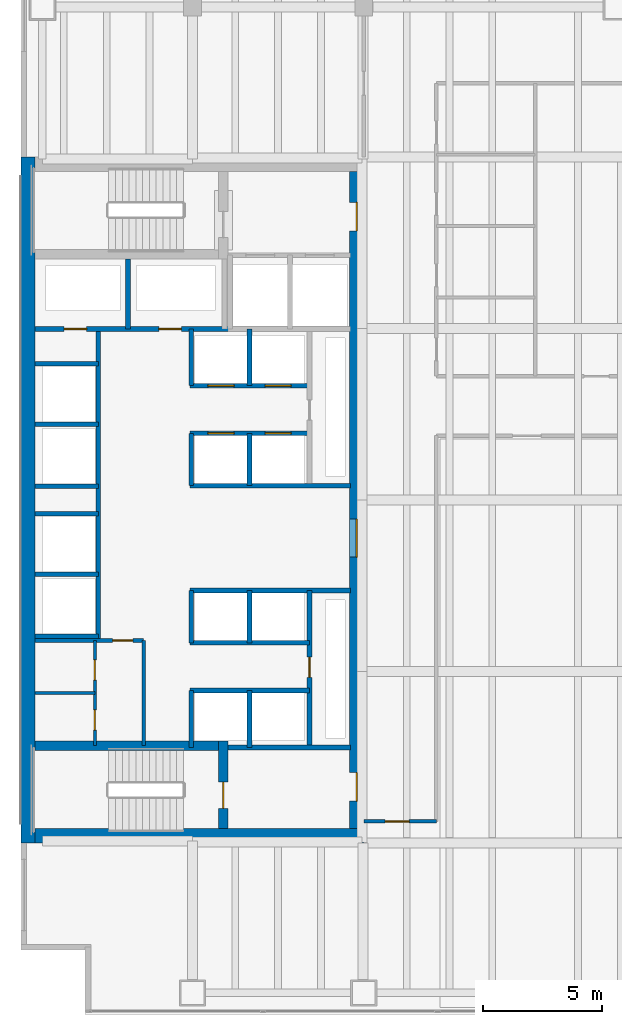
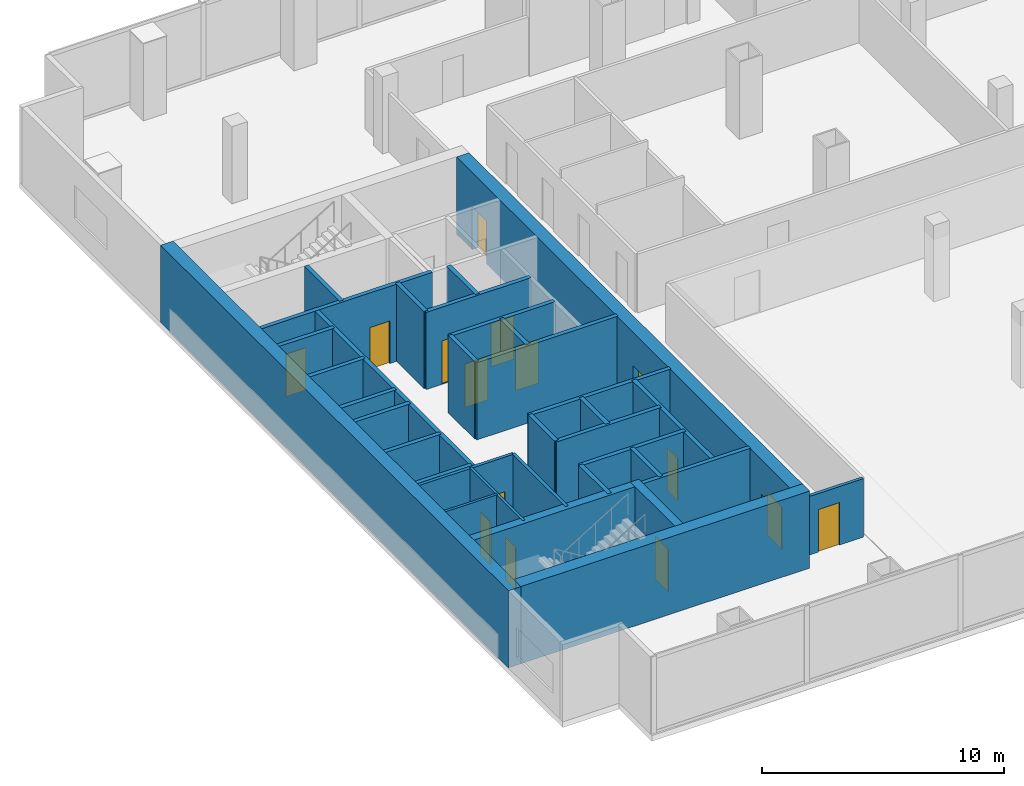
# One storey, part 22 of 32: 35 walls, 15 doors, 15 openings.
"""IFC4 building model written with IfcOpenShell, lengths in metres."""

from ifc_helpers import new_model, si_unit, direction, frame, frame_2d, origin, place, context, subcontext, project, spatial, rectangle, extrude, material, layer, layer_set, type_object, element, fill, save


model = new_model("IFC4")

# Units and contexts
model_context = context("Model", 3, precision=1e-05, world=origin(), true_north=direction((0.0, 1.0)))
body_context = subcontext(model_context, "Body", "Model", "MODEL_VIEW")
ifc_project = project(units=[si_unit("LENGTHUNIT", "METRE"), si_unit("AREAUNIT", "SQUARE_METRE"), si_unit("VOLUMEUNIT", "CUBIC_METRE"), si_unit("PLANEANGLEUNIT", "RADIAN"), si_unit("MASSUNIT", "GRAM", prefix="KILO")], contexts=[model_context])

# Site, building, storey
site_placement = place(None, origin())
site = spatial("IfcSite", under=ifc_project, at=site_placement, CompositionType="ELEMENT")
building_placement = place(site_placement, origin())
building = spatial("IfcBuilding", under=site, at=building_placement, Name="Cobrela Telecom Tower", CompositionType="ELEMENT")
storey_placement = place(building_placement, frame((0.0, 0.0, 22.050048828125)))
storey = spatial("IfcBuildingStorey", under=building, at=storey_placement, Name="L05", CompositionType="ELEMENT", Elevation=22.050048828125)

# Walls
ifc_material_1 = material(Name="Concrete C50/60", Category="concrete")
ifc_layer_1 = layer(ifc_material_1, 0.60009765625)
ifc_layer_set_1 = layer_set([ifc_layer_1], Name="Concrete C50/60")
wall_type_1 = type_object("IfcWallType", Name="WALL-CORE-C50-600", PredefinedType="SHEAR", material=ifc_layer_set_1)
wall_1_placement = place(storey_placement, frame((0.300048828125, 7.199951171875, 0.0), z_axis=(0.0, 0.0, 1.0), x_axis=(0.0, 1.0, 0.0)))
element("IfcWall", 1, at=wall_1_placement, inside=storey, type_object=wall_type_1, Name="L05 West Core Shear Wall", PredefinedType="SHEAR", context=body_context, shape_type="SweptSolid", body=[
    extrude(rectangle(XDim=28.800048828125, YDim=0.60009765625, at=frame_2d((14.39990234375, 0.0))), origin(), (0.0, 0.0, 1.0), 3.89990234375),
])
wall_2_placement = place(storey_placement, frame((0.60009765625, 7.5, 0.0), z_axis=(0.0, 0.0, 1.0), x_axis=(1.0, 0.0, 0.0)))
element("IfcWall", 2, at=wall_2_placement, inside=storey, type_object=wall_type_1, Name="L05 South Core Shear Wall", PredefinedType="SHEAR", context=body_context, shape_type="SweptSolid", body=[
    extrude(rectangle(XDim=13.7998046875, YDim=0.60009765625, at=frame_2d((6.89990234375, 0.0))), origin(), (0.0, 0.0, 1.0), 3.89990234375),
])

# Wall, openings, doors
wall_3_placement = place(storey_placement, frame((14.10009765625, 35.39990234375, 0.0), z_axis=(0.0, 0.0, 1.0), x_axis=(0.0, -1.0, 0.0)))
wall_3 = element("IfcWall", 3, at=wall_3_placement, inside=storey, type_object=wall_type_1, Name="L05 East Core Shear Wall", PredefinedType="SHEAR", context=body_context, shape_type="SweptSolid", body=[
    extrude(rectangle(XDim=27.599853515625, YDim=0.60009765625, at=frame_2d((13.7998046875, 0.0))), origin(), (0.0, 0.0, 1.0), 3.89990234375),
])
opening_1_placement = place(wall_3_placement, frame((1.300048828125, 0.0, 0.0)))
opening_1 = element("IfcOpeningElement", 4, at=opening_1_placement, cuts=wall_3, Name="Opening DR-19", PredefinedType="OPENING", context=body_context, shape_type="SweptSolid", body=[
    extrude(rectangle(XDim=1.199951171875, YDim=2.14990234375, at=frame_2d((0.60009765625, 1.074951171875))), frame((0.0, 0.31201171875, 0.0), z_axis=(0.0, -1.0, 0.0), x_axis=(1.0, 0.0, 0.0)), (0.0, 0.0, 1.0), 0.6240234375),
])
opening_2_placement = place(wall_3_placement, frame((25.25, 0.0, 0.0)))
opening_2 = element("IfcOpeningElement", 5, at=opening_2_placement, cuts=wall_3, Name="Opening DR-19", PredefinedType="OPENING", context=body_context, shape_type="SweptSolid", body=[
    extrude(rectangle(XDim=1.199951171875, YDim=2.14990234375, at=frame_2d((0.60009765625, 1.074951171875))), frame((0.0, 0.31201171875, 0.0), z_axis=(0.0, -1.0, 0.0), x_axis=(1.0, 0.0, 0.0)), (0.0, 0.0, 1.0), 0.6240234375),
])
opening_3_placement = place(wall_3_placement, frame((14.60009765625, 0.0, 0.0)))
opening_3 = element("IfcOpeningElement", 6, at=opening_3_placement, cuts=wall_3, Name="Opening DR-51", PredefinedType="OPENING", context=body_context, shape_type="SweptSolid", body=[
    extrude(rectangle(XDim=1.60009765625, YDim=2.199951171875, at=frame_2d((0.800048828125, 1.10009765625))), frame((0.0, 0.31201171875, 0.0), z_axis=(0.0, -1.0, 0.0), x_axis=(1.0, 0.0, 0.0)), (0.0, 0.0, 1.0), 0.6240234375),
])
ifc_material_2 = material(Name="Steel ASTM A36", Category="steel")
door_type_1 = type_object("IfcDoorType", Name="DOOR-FD60-1200", OperationType="SINGLE_SWING_LEFT", PredefinedType="DOOR", material=ifc_material_2)
door_1_placement = place(opening_1_placement, origin())
door_1 = element("IfcDoor", 7, at=door_1_placement, inside=storey, type_object=door_type_1, Name="L05 Door DR-19", OperationType="SINGLE_SWING_LEFT", OverallHeight=2.14990234375, OverallWidth=1.199951171875, PredefinedType="DOOR", context=body_context, shape_type="SweptSolid", body=[
    extrude(rectangle(XDim=1.199951171875, YDim=2.14990234375, at=frame_2d((0.60009765625, 1.074951171875))), frame((0.0, 0.02490234375, 0.0), z_axis=(0.0, -1.0, 0.0), x_axis=(1.0, 0.0, 0.0)), (0.0, 0.0, 1.0), 0.050048828125),
])
fill(opening_1, door_1)
door_2_placement = place(opening_2_placement, origin())
door_2 = element("IfcDoor", 8, at=door_2_placement, inside=storey, type_object=door_type_1, Name="L05 Door DR-19", OperationType="SINGLE_SWING_RIGHT", OverallHeight=2.14990234375, OverallWidth=1.199951171875, PredefinedType="DOOR", context=body_context, shape_type="SweptSolid", body=[
    extrude(rectangle(XDim=1.199951171875, YDim=2.14990234375, at=frame_2d((0.60009765625, 1.074951171875))), frame((0.0, 0.02490234375, 0.0), z_axis=(0.0, -1.0, 0.0), x_axis=(1.0, 0.0, 0.0)), (0.0, 0.0, 1.0), 0.050048828125),
])
fill(opening_2, door_2)
door_type_2 = type_object("IfcDoorType", Name="DOOR-FD60-1600", OperationType="SINGLE_SWING_LEFT", PredefinedType="DOOR", material=ifc_material_2)
door_3_placement = place(opening_3_placement, origin())
door_3 = element("IfcDoor", 9, at=door_3_placement, inside=storey, type_object=door_type_2, Name="L05 Door DR-51", OperationType="DOUBLE_DOOR_SINGLE_SWING", OverallHeight=2.199951171875, OverallWidth=1.60009765625, PredefinedType="DOOR", context=body_context, shape_type="SweptSolid", body=[
    extrude(rectangle(XDim=1.60009765625, YDim=2.199951171875, at=frame_2d((0.800048828125, 1.10009765625))), frame((0.0, 0.02490234375, 0.0), z_axis=(0.0, -1.0, 0.0), x_axis=(1.0, 0.0, 0.0)), (0.0, 0.0, 1.0), 0.050048828125),
])
fill(opening_3, door_3)

# Wall
ifc_material_3 = material(Name="Fire-Rated Gypsum Plasterboard")
ifc_layer_2 = layer(ifc_material_3, 0.125)
ifc_layer_set_2 = layer_set([ifc_layer_2], Name="Fire-Rated Gypsum Plasterboard")
wall_type_2 = type_object("IfcWallType", Name="WALL-PART-125", PredefinedType="PARTITIONING", material=ifc_layer_set_2)
wall_4_placement = place(storey_placement, frame((0.60009765625, 13.5, 0.0), z_axis=(0.0, 0.0, 1.0), x_axis=(1.0, 0.0, 0.0)))
element("IfcWall", 10, at=wall_4_placement, inside=storey, type_object=wall_type_2, Name="L05 Interior Partition CW-FK3-H", PredefinedType="PARTITIONING", context=body_context, shape_type="SweptSolid", body=[
    extrude(rectangle(XDim=2.5, YDim=0.125, at=frame_2d((1.25, 0.0))), origin(), (0.0, 0.0, 1.0), 3.89990234375),
])

# Wall, openings, doors
wall_5_placement = place(storey_placement, frame((3.10009765625, 11.280029296875, 0.0), z_axis=(0.0, 0.0, 1.0), x_axis=(0.0, 1.0, 0.0)))
wall_5 = element("IfcWall", 11, at=wall_5_placement, inside=storey, type_object=wall_type_2, Name="L05 Interior Partition CW-FK3-V", PredefinedType="PARTITIONING", context=body_context, shape_type="SweptSolid", body=[
    extrude(rectangle(XDim=4.419921875, YDim=0.125, at=frame_2d((2.2099609375, 0.0))), origin(), (0.0, 0.0, 1.0), 3.89990234375),
])
opening_4_placement = place(wall_5_placement, frame((0.64990234375, 0.0, 0.0)))
opening_4 = element("IfcOpeningElement", 12, at=opening_4_placement, cuts=wall_5, Name="Opening DR-11", PredefinedType="OPENING", context=body_context, shape_type="SweptSolid", body=[
    extrude(rectangle(XDim=0.85009765625, YDim=2.14990234375, at=frame_2d((0.425048828125, 1.074951171875))), frame((0.0, 0.074462890625, 0.0), z_axis=(0.0, -1.0, 0.0), x_axis=(1.0, 0.0, 0.0)), (0.0, 0.0, 1.0), 0.14892578125),
])
opening_5_placement = place(wall_5_placement, frame((2.75, 0.0, 0.0)))
opening_5 = element("IfcOpeningElement", 13, at=opening_5_placement, cuts=wall_5, Name="Opening DR-11", PredefinedType="OPENING", context=body_context, shape_type="SweptSolid", body=[
    extrude(rectangle(XDim=0.85009765625, YDim=2.14990234375, at=frame_2d((0.425048828125, 1.074951171875))), frame((0.0, 0.074462890625, 0.0), z_axis=(0.0, -1.0, 0.0), x_axis=(1.0, 0.0, 0.0)), (0.0, 0.0, 1.0), 0.14892578125),
])
ifc_material_4 = material(Name="Solid Engineered Oak Timber", Category="wood")
door_type_3 = type_object("IfcDoorType", Name="DOOR-INT-850", OperationType="SINGLE_SWING_LEFT", PredefinedType="DOOR", material=ifc_material_4)
door_4_placement = place(opening_4_placement, origin())
door_4 = element("IfcDoor", 14, at=door_4_placement, inside=storey, type_object=door_type_3, Name="L05 Door DR-11", OperationType="SINGLE_SWING_LEFT", OverallHeight=2.14990234375, OverallWidth=0.85009765625, PredefinedType="DOOR", context=body_context, shape_type="SweptSolid", body=[
    extrude(rectangle(XDim=0.85009765625, YDim=2.14990234375, at=frame_2d((0.425048828125, 1.074951171875))), frame((0.0, 0.02490234375, 0.0), z_axis=(0.0, -1.0, 0.0), x_axis=(1.0, 0.0, 0.0)), (0.0, 0.0, 1.0), 0.050048828125),
])
fill(opening_4, door_4)
door_5_placement = place(opening_5_placement, origin())
door_5 = element("IfcDoor", 15, at=door_5_placement, inside=storey, type_object=door_type_3, Name="L05 Door DR-11", OperationType="SINGLE_SWING_RIGHT", OverallHeight=2.14990234375, OverallWidth=0.85009765625, PredefinedType="DOOR", context=body_context, shape_type="SweptSolid", body=[
    extrude(rectangle(XDim=0.85009765625, YDim=2.14990234375, at=frame_2d((0.425048828125, 1.074951171875))), frame((0.0, 0.02490234375, 0.0), z_axis=(0.0, -1.0, 0.0), x_axis=(1.0, 0.0, 0.0)), (0.0, 0.0, 1.0), 0.050048828125),
])
fill(opening_5, door_5)

# Wall, opening, door
ifc_layer_3 = layer(ifc_material_3, 0.14990234375)
ifc_layer_set_3 = layer_set([ifc_layer_3], Name="Fire-Rated Gypsum Plasterboard")
wall_type_3 = type_object("IfcWallType", Name="WALL-PART-150", PredefinedType="PARTITIONING", material=ifc_layer_set_3)
wall_6_placement = place(storey_placement, frame((0.60009765625, 15.699951171875, 0.0), z_axis=(0.0, 0.0, 1.0), x_axis=(1.0, 0.0, 0.0)))
wall_6 = element("IfcWall", 16, at=wall_6_placement, inside=storey, type_object=wall_type_3, Name="L05 Interior Partition CW-FLEX-N", PredefinedType="PARTITIONING", context=body_context, shape_type="SweptSolid", body=[
    extrude(rectangle(XDim=4.5498046875, YDim=0.14990234375, at=frame_2d((2.27490234375, 0.0))), origin(), (0.0, 0.0, 1.0), 3.89990234375),
])
opening_6_placement = place(wall_6_placement, frame((3.25, 0.0, 0.0)))
opening_6 = element("IfcOpeningElement", 17, at=opening_6_placement, cuts=wall_6, Name="Opening DR-11", PredefinedType="OPENING", context=body_context, shape_type="SweptSolid", body=[
    extrude(rectangle(XDim=0.85009765625, YDim=2.14990234375, at=frame_2d((0.425048828125, 1.074951171875))), frame((0.0, 0.0869140625, 0.0), z_axis=(0.0, -1.0, 0.0), x_axis=(1.0, 0.0, 0.0)), (0.0, 0.0, 1.0), 0.173828125),
])
door_6_placement = place(opening_6_placement, origin())
door_6 = element("IfcDoor", 18, at=door_6_placement, inside=storey, type_object=door_type_3, Name="L05 Door DR-11", OperationType="SINGLE_SWING_LEFT", OverallHeight=2.14990234375, OverallWidth=0.85009765625, PredefinedType="DOOR", context=body_context, shape_type="SweptSolid", body=[
    extrude(rectangle(XDim=0.85009765625, YDim=2.14990234375, at=frame_2d((0.425048828125, 1.074951171875))), frame((0.0, 0.02490234375, 0.0), z_axis=(0.0, -1.0, 0.0), x_axis=(1.0, 0.0, 0.0)), (0.0, 0.0, 1.0), 0.050048828125),
])
fill(opening_6, door_6)

# Wall
wall_7_placement = place(storey_placement, frame((5.14990234375, 11.280029296875, 0.0), z_axis=(0.0, 0.0, 1.0), x_axis=(0.0, 1.0, 0.0)))
element("IfcWall", 19, at=wall_7_placement, inside=storey, type_object=wall_type_3, Name="L05 Interior Partition CW-FLEX-E", PredefinedType="PARTITIONING", context=body_context, shape_type="SweptSolid", body=[
    extrude(rectangle(XDim=4.419921875, YDim=0.14990234375, at=frame_2d((2.2099609375, 0.0))), origin(), (0.0, 0.0, 1.0), 3.89990234375),
])

# Wall, opening, door
wall_8_placement = place(storey_placement, frame((14.39990234375, 8.10009765625, 0.0), z_axis=(0.0, 0.0, 1.0), x_axis=(1.0, 0.0, 0.0)))
wall_8 = element("IfcWall", 20, at=wall_8_placement, inside=storey, type_object=wall_type_3, Name="L05 Interior Partition W-P4-S0", PredefinedType="PARTITIONING", context=body_context, shape_type="SweptSolid", body=[
    extrude(rectangle(XDim=3.050048828125, YDim=0.14990234375, at=frame_2d((1.52490234375, 0.0))), origin(), (0.0, 0.0, 1.0), 2.9580078125),
])
opening_7_placement = place(wall_8_placement, frame((0.89990234375, 0.0, 0.0)))
opening_7 = element("IfcOpeningElement", 21, at=opening_7_placement, cuts=wall_8, Name="Opening DR-31", PredefinedType="OPENING", context=body_context, shape_type="SweptSolid", body=[
    extrude(rectangle(XDim=1.0, YDim=2.14990234375, at=frame_2d((0.5, 1.074951171875))), frame((0.0, 0.0869140625, 0.0), z_axis=(0.0, -1.0, 0.0), x_axis=(1.0, 0.0, 0.0)), (0.0, 0.0, 1.0), 0.173828125),
])
door_type_4 = type_object("IfcDoorType", Name="DOOR-INT-1000", OperationType="SINGLE_SWING_LEFT", PredefinedType="DOOR", material=ifc_material_4)
door_7_placement = place(opening_7_placement, origin())
door_7 = element("IfcDoor", 22, at=door_7_placement, inside=storey, type_object=door_type_4, Name="L05 Door DR-31", OperationType="SINGLE_SWING_RIGHT", OverallHeight=2.14990234375, OverallWidth=1.0, PredefinedType="DOOR", context=body_context, shape_type="SweptSolid", body=[
    extrude(rectangle(XDim=1.0, YDim=2.14990234375, at=frame_2d((0.5, 1.074951171875))), frame((0.0, 0.02490234375, 0.0), z_axis=(0.0, -1.0, 0.0), x_axis=(1.0, 0.0, 0.0)), (0.0, 0.0, 1.0), 0.050048828125),
])
fill(opening_7, door_7)

# Wall
ifc_layer_4 = layer(ifc_material_3, 0.199951171875)
ifc_layer_set_4 = layer_set([ifc_layer_4], Name="Fire-Rated Gypsum Plasterboard")
wall_type_4 = type_object("IfcWallType", Name="WALL-SHAFT-200", PredefinedType="PARTITIONING", material=ifc_layer_set_4)
wall_9_placement = place(storey_placement, frame((8.699951171875, 11.199951171875, 0.0), z_axis=(0.0, 0.0, 1.0), x_axis=(1.0, 0.0, 0.0)))
element("IfcWall", 23, at=wall_9_placement, inside=storey, type_object=wall_type_4, Name="L05 Shaft Enclosure CW-ST2L-N", PredefinedType="PARTITIONING", context=body_context, shape_type="SweptSolid", body=[
    extrude(rectangle(XDim=5.150146484375, YDim=0.199951171875, at=frame_2d((2.5751953125, 0.0))), origin(), (0.0, 0.0, 1.0), 3.89990234375),
])

# Wall, openings, doors
wall_10_placement = place(storey_placement, frame((0.60009765625, 28.780029296875, 0.0), z_axis=(0.0, 0.0, 1.0), x_axis=(1.0, 0.0, 0.0)))
wall_10 = element("IfcWall", 24, at=wall_10_placement, inside=storey, type_object=wall_type_4, Name="L05 Shaft Enclosure CW-RIS-S", PredefinedType="PARTITIONING", context=body_context, shape_type="SweptSolid", body=[
    extrude(rectangle(XDim=8.179931640625, YDim=0.199951171875, at=frame_2d((4.08984375, 0.0))), origin(), (0.0, 0.0, 1.0), 3.89990234375),
])
opening_8_placement = place(wall_10_placement, frame((1.2099609375, 0.0, 0.0)))
opening_8 = element("IfcOpeningElement", 25, at=opening_8_placement, cuts=wall_10, Name="Opening DR-65", PredefinedType="OPENING", context=body_context, shape_type="SweptSolid", body=[
    extrude(rectangle(XDim=0.949951171875, YDim=2.14990234375, at=frame_2d((0.47509765625, 1.074951171875))), frame((0.0, 0.11181640625, 0.0), z_axis=(0.0, -1.0, 0.0), x_axis=(1.0, 0.0, 0.0)), (0.0, 0.0, 1.0), 0.223876953125),
])
opening_9_placement = place(wall_10_placement, frame((5.18994140625, 0.0, 0.0)))
opening_9 = element("IfcOpeningElement", 26, at=opening_9_placement, cuts=wall_10, Name="Opening DR-65", PredefinedType="OPENING", context=body_context, shape_type="SweptSolid", body=[
    extrude(rectangle(XDim=0.949951171875, YDim=2.14990234375, at=frame_2d((0.47509765625, 1.074951171875))), frame((0.0, 0.11181640625, 0.0), z_axis=(0.0, -1.0, 0.0), x_axis=(1.0, 0.0, 0.0)), (0.0, 0.0, 1.0), 0.223876953125),
])
door_type_5 = type_object("IfcDoorType", Name="DOOR-FD60-950", OperationType="SINGLE_SWING_LEFT", PredefinedType="DOOR", material=ifc_material_2)
door_8_placement = place(opening_8_placement, origin())
door_8 = element("IfcDoor", 27, at=door_8_placement, inside=storey, type_object=door_type_5, Name="L05 Door DR-65", OperationType="SINGLE_SWING_LEFT", OverallHeight=2.14990234375, OverallWidth=0.949951171875, PredefinedType="DOOR", context=body_context, shape_type="SweptSolid", body=[
    extrude(rectangle(XDim=0.949951171875, YDim=2.14990234375, at=frame_2d((0.47509765625, 1.074951171875))), frame((0.0, 0.02490234375, 0.0), z_axis=(0.0, -1.0, 0.0), x_axis=(1.0, 0.0, 0.0)), (0.0, 0.0, 1.0), 0.050048828125),
])
fill(opening_8, door_8)
door_9_placement = place(opening_9_placement, origin())
door_9 = element("IfcDoor", 28, at=door_9_placement, inside=storey, type_object=door_type_5, Name="L05 Door DR-65", OperationType="SINGLE_SWING_RIGHT", OverallHeight=2.14990234375, OverallWidth=0.949951171875, PredefinedType="DOOR", context=body_context, shape_type="SweptSolid", body=[
    extrude(rectangle(XDim=0.949951171875, YDim=2.14990234375, at=frame_2d((0.47509765625, 1.074951171875))), frame((0.0, 0.02490234375, 0.0), z_axis=(0.0, -1.0, 0.0), x_axis=(1.0, 0.0, 0.0)), (0.0, 0.0, 1.0), 0.050048828125),
])
fill(opening_9, door_9)

# Walls
wall_11_placement = place(storey_placement, frame((4.5, 28.780029296875, 0.0), z_axis=(0.0, 0.0, 1.0), x_axis=(0.0, 1.0, 0.0)))
element("IfcWall", 29, at=wall_11_placement, inside=storey, type_object=wall_type_4, Name="L05 Shaft Enclosure CW-RIS-M", PredefinedType="PARTITIONING", context=body_context, shape_type="SweptSolid", body=[
    extrude(rectangle(XDim=2.93994140625, YDim=0.199951171875, at=frame_2d((1.469970703125, 0.0))), origin(), (0.0, 0.0, 1.0), 3.89990234375),
])
wall_12_placement = place(storey_placement, frame((3.25, 15.699951171875, 0.0), z_axis=(0.0, 0.0, 1.0), x_axis=(0.0, 1.0, 0.0)))
element("IfcWall", 30, at=wall_12_placement, inside=storey, type_object=wall_type_4, Name="L05 Shaft Enclosure CW-PLH-E", PredefinedType="PARTITIONING", context=body_context, shape_type="SweptSolid", body=[
    extrude(rectangle(XDim=13.080078125, YDim=0.199951171875, at=frame_2d((6.5400390625, 0.0))), origin(), (0.0, 0.0, 1.0), 3.89990234375),
])
for number, where, z_axis, x_axis, name in (
    (31, (0.60009765625, 15.8798828125, 0.0), (0.0, 0.0, 1.0), (1.0, 0.0, 0.0), "L05 Shaft Enclosure CW-PLH-D9"),
    (32, (0.60009765625, 18.47998046875, 0.0), (0.0, 0.0, 1.0), (1.0, 0.0, 0.0), "L05 Shaft Enclosure CW-PLH-D10"),
    (33, (0.60009765625, 22.179931640625, 0.0), (0.0, 0.0, 1.0), (1.0, 0.0, 0.0), "L05 Shaft Enclosure CW-PLH-D11"),
    (34, (0.60009765625, 24.780029296875, 0.0), (0.0, 0.0, 1.0), (1.0, 0.0, 0.0), "L05 Shaft Enclosure CW-PLH-D12"),
    (35, (0.60009765625, 21.02001953125, 0.0), (0.0, 0.0, 1.0), (1.0, 0.0, 0.0), "L05 Shaft Enclosure CW-PLH-MID"),
    (36, (0.60009765625, 27.320068359375, 0.0), (0.0, 0.0, 1.0), (1.0, 0.0, 0.0), "L05 Shaft Enclosure CW-PLH-TOP"),
):
    element("IfcWall", number, at=place(storey_placement, frame(where, z_axis=z_axis, x_axis=x_axis)), inside=storey, type_object=wall_type_4, Name=name, PredefinedType="PARTITIONING", context=body_context, shape_type="SweptSolid", body=[
        extrude(rectangle(XDim=2.64990234375, YDim=0.199951171875, at=frame_2d((1.324951171875, 0.0))), origin(), (0.0, 0.0, 1.0), 3.89990234375),
    ])
wall_13_placement = place(storey_placement, frame((7.10009765625, 22.199951171875, 0.0), z_axis=(0.0, 0.0, 1.0), x_axis=(1.0, 0.0, 0.0)))
element("IfcWall", 37, at=wall_13_placement, inside=storey, type_object=wall_type_4, Name="L05 Shaft Enclosure CW-PLL-B0", PredefinedType="PARTITIONING", context=body_context, shape_type="SweptSolid", body=[
    extrude(rectangle(XDim=6.75, YDim=0.199951171875, at=frame_2d((3.375, 0.0))), origin(), (0.0, 0.0, 1.0), 3.89990234375),
])

# Wall, openings, doors
wall_14_placement = place(storey_placement, frame((7.10009765625, 24.39990234375, 0.0), z_axis=(0.0, 0.0, 1.0), x_axis=(1.0, 0.0, 0.0)))
wall_14 = element("IfcWall", 38, at=wall_14_placement, inside=storey, type_object=wall_type_4, Name="L05 Shaft Enclosure CW-PLL-S", PredefinedType="PARTITIONING", context=body_context, shape_type="SweptSolid", body=[
    extrude(rectangle(XDim=5.02001953125, YDim=0.199951171875, at=frame_2d((2.510009765625, 0.0))), origin(), (0.0, 0.0, 1.0), 3.89990234375),
])
opening_10_placement = place(wall_14_placement, frame((0.75, 0.0, 0.0)))
opening_10 = element("IfcOpeningElement", 39, at=opening_10_placement, cuts=wall_14, Name="Opening LD-1", PredefinedType="OPENING", context=body_context, shape_type="SweptSolid", body=[
    extrude(rectangle(XDim=1.10009765625, YDim=2.199951171875, at=frame_2d((0.550048828125, 1.10009765625))), frame((0.0, 0.11181640625, 0.0), z_axis=(0.0, -1.0, 0.0), x_axis=(1.0, 0.0, 0.0)), (0.0, 0.0, 1.0), 0.223876953125),
])
opening_11_placement = place(wall_14_placement, frame((3.14990234375, 0.0, 0.0)))
opening_11 = element("IfcOpeningElement", 40, at=opening_11_placement, cuts=wall_14, Name="Opening LD-1", PredefinedType="OPENING", context=body_context, shape_type="SweptSolid", body=[
    extrude(rectangle(XDim=1.10009765625, YDim=2.199951171875, at=frame_2d((0.550048828125, 1.10009765625))), frame((0.0, 0.11181640625, 0.0), z_axis=(0.0, -1.0, 0.0), x_axis=(1.0, 0.0, 0.0)), (0.0, 0.0, 1.0), 0.223876953125),
])
door_type_6 = type_object("IfcDoorType", Name="DOOR-LD-PL", OperationType="SINGLE_SWING_LEFT", PredefinedType="DOOR", material=ifc_material_2)
door_10_placement = place(opening_10_placement, origin())
door_10 = element("IfcDoor", 41, at=door_10_placement, inside=storey, type_object=door_type_6, Name="L05 Lift Landing Door LD-1", OperationType="DOUBLE_DOOR_SLIDING", OverallHeight=2.199951171875, OverallWidth=1.10009765625, PredefinedType="DOOR", context=body_context, shape_type="SweptSolid", body=[
    extrude(rectangle(XDim=1.10009765625, YDim=2.199951171875, at=frame_2d((0.550048828125, 1.10009765625))), frame((0.0, 0.02490234375, 0.0), z_axis=(0.0, -1.0, 0.0), x_axis=(1.0, 0.0, 0.0)), (0.0, 0.0, 1.0), 0.050048828125),
])
fill(opening_10, door_10)
door_11_placement = place(opening_11_placement, origin())
door_11 = element("IfcDoor", 42, at=door_11_placement, inside=storey, type_object=door_type_6, Name="L05 Lift Landing Door LD-1", OperationType="DOUBLE_DOOR_SLIDING", OverallHeight=2.199951171875, OverallWidth=1.10009765625, PredefinedType="DOOR", context=body_context, shape_type="SweptSolid", body=[
    extrude(rectangle(XDim=1.10009765625, YDim=2.199951171875, at=frame_2d((0.550048828125, 1.10009765625))), frame((0.0, 0.02490234375, 0.0), z_axis=(0.0, -1.0, 0.0), x_axis=(1.0, 0.0, 0.0)), (0.0, 0.0, 1.0), 0.050048828125),
])
fill(opening_11, door_11)

wall_15_placement = place(storey_placement, frame((7.10009765625, 26.39990234375, 0.0), z_axis=(0.0, 0.0, 1.0), x_axis=(1.0, 0.0, 0.0)))
wall_15 = element("IfcWall", 43, at=wall_15_placement, inside=storey, type_object=wall_type_4, Name="L05 Shaft Enclosure CW-PLL-N", PredefinedType="PARTITIONING", context=body_context, shape_type="SweptSolid", body=[
    extrude(rectangle(XDim=5.02001953125, YDim=0.199951171875, at=frame_2d((2.510009765625, 0.0))), origin(), (0.0, 0.0, 1.0), 3.89990234375),
])
opening_12_placement = place(wall_15_placement, frame((0.75, 0.0, 0.0)))
opening_12 = element("IfcOpeningElement", 44, at=opening_12_placement, cuts=wall_15, Name="Opening LD-1", PredefinedType="OPENING", context=body_context, shape_type="SweptSolid", body=[
    extrude(rectangle(XDim=1.10009765625, YDim=2.199951171875, at=frame_2d((0.550048828125, 1.10009765625))), frame((0.0, 0.11181640625, 0.0), z_axis=(0.0, -1.0, 0.0), x_axis=(1.0, 0.0, 0.0)), (0.0, 0.0, 1.0), 0.223876953125),
])
opening_13_placement = place(wall_15_placement, frame((3.14990234375, 0.0, 0.0)))
opening_13 = element("IfcOpeningElement", 45, at=opening_13_placement, cuts=wall_15, Name="Opening LD-1", PredefinedType="OPENING", context=body_context, shape_type="SweptSolid", body=[
    extrude(rectangle(XDim=1.10009765625, YDim=2.199951171875, at=frame_2d((0.550048828125, 1.10009765625))), frame((0.0, 0.11181640625, 0.0), z_axis=(0.0, -1.0, 0.0), x_axis=(1.0, 0.0, 0.0)), (0.0, 0.0, 1.0), 0.223876953125),
])
door_12_placement = place(opening_12_placement, origin())
door_12 = element("IfcDoor", 46, at=door_12_placement, inside=storey, type_object=door_type_6, Name="L05 Lift Landing Door LD-1", OperationType="DOUBLE_DOOR_SLIDING", OverallHeight=2.199951171875, OverallWidth=1.10009765625, PredefinedType="DOOR", context=body_context, shape_type="SweptSolid", body=[
    extrude(rectangle(XDim=1.10009765625, YDim=2.199951171875, at=frame_2d((0.550048828125, 1.10009765625))), frame((0.0, 0.02490234375, 0.0), z_axis=(0.0, -1.0, 0.0), x_axis=(1.0, 0.0, 0.0)), (0.0, 0.0, 1.0), 0.050048828125),
])
fill(opening_12, door_12)
door_13_placement = place(opening_13_placement, origin())
door_13 = element("IfcDoor", 47, at=door_13_placement, inside=storey, type_object=door_type_6, Name="L05 Lift Landing Door LD-1", OperationType="DOUBLE_DOOR_SLIDING", OverallHeight=2.199951171875, OverallWidth=1.10009765625, PredefinedType="DOOR", context=body_context, shape_type="SweptSolid", body=[
    extrude(rectangle(XDim=1.10009765625, YDim=2.199951171875, at=frame_2d((0.550048828125, 1.10009765625))), frame((0.0, 0.02490234375, 0.0), z_axis=(0.0, -1.0, 0.0), x_axis=(1.0, 0.0, 0.0)), (0.0, 0.0, 1.0), 0.050048828125),
])
fill(opening_13, door_13)

# Walls
wall_16_placement = place(storey_placement, frame((7.14990234375, 22.199951171875, 0.0), z_axis=(0.0, 0.0, 1.0), x_axis=(0.0, 1.0, 0.0)))
element("IfcWall", 48, at=wall_16_placement, inside=storey, type_object=wall_type_4, Name="L05 Shaft Enclosure CW-PLL-V1", PredefinedType="PARTITIONING", context=body_context, shape_type="SweptSolid", body=[
    extrude(rectangle(XDim=2.199951171875, YDim=0.199951171875, at=frame_2d((1.10009765625, 0.0))), origin(), (0.0, 0.0, 1.0), 3.89990234375),
])
wall_17_placement = place(storey_placement, frame((7.14990234375, 26.39990234375, 0.0), z_axis=(0.0, 0.0, 1.0), x_axis=(0.0, 1.0, 0.0)))
element("IfcWall", 49, at=wall_17_placement, inside=storey, type_object=wall_type_4, Name="L05 Shaft Enclosure CW-PLL-V1B", PredefinedType="PARTITIONING", context=body_context, shape_type="SweptSolid", body=[
    extrude(rectangle(XDim=2.380126953125, YDim=0.199951171875, at=frame_2d((1.18994140625, 0.0))), origin(), (0.0, 0.0, 1.0), 3.89990234375),
])
wall_18_placement = place(storey_placement, frame((9.60009765625, 22.199951171875, 0.0), z_axis=(0.0, 0.0, 1.0), x_axis=(0.0, 1.0, 0.0)))
element("IfcWall", 50, at=wall_18_placement, inside=storey, type_object=wall_type_4, Name="L05 Shaft Enclosure CW-PLL-V2", PredefinedType="PARTITIONING", context=body_context, shape_type="SweptSolid", body=[
    extrude(rectangle(XDim=2.199951171875, YDim=0.199951171875, at=frame_2d((1.10009765625, 0.0))), origin(), (0.0, 0.0, 1.0), 3.89990234375),
])
wall_19_placement = place(storey_placement, frame((9.60009765625, 26.39990234375, 0.0), z_axis=(0.0, 0.0, 1.0), x_axis=(0.0, 1.0, 0.0)))
element("IfcWall", 51, at=wall_19_placement, inside=storey, type_object=wall_type_4, Name="L05 Shaft Enclosure CW-PLL-V2B", PredefinedType="PARTITIONING", context=body_context, shape_type="SweptSolid", body=[
    extrude(rectangle(XDim=2.380126953125, YDim=0.199951171875, at=frame_2d((1.18994140625, 0.0))), origin(), (0.0, 0.0, 1.0), 3.89990234375),
])
wall_20_placement = place(storey_placement, frame((7.10009765625, 17.800048828125, 0.0), z_axis=(0.0, 0.0, 1.0), x_axis=(1.0, 0.0, 0.0)))
element("IfcWall", 52, at=wall_20_placement, inside=storey, type_object=wall_type_4, Name="L05 Shaft Enclosure CW-PLM-T0", PredefinedType="PARTITIONING", context=body_context, shape_type="SweptSolid", body=[
    extrude(rectangle(XDim=6.75, YDim=0.199951171875, at=frame_2d((3.375, 0.0))), origin(), (0.0, 0.0, 1.0), 3.89990234375),
])
for number, where, z_axis, x_axis, name in (
    (53, (7.10009765625, 15.60009765625, 0.0), (0.0, 0.0, 1.0), (1.0, 0.0, 0.0), "L05 Shaft Enclosure CW-PLM-N"),
    (54, (7.10009765625, 13.60009765625, 0.0), (0.0, 0.0, 1.0), (1.0, 0.0, 0.0), "L05 Shaft Enclosure CW-PLM-S"),
):
    element("IfcWall", number, at=place(storey_placement, frame(where, z_axis=z_axis, x_axis=x_axis)), inside=storey, type_object=wall_type_4, Name=name, PredefinedType="PARTITIONING", context=body_context, shape_type="SweptSolid", body=[
        extrude(rectangle(XDim=5.02001953125, YDim=0.199951171875, at=frame_2d((2.510009765625, 0.0))), origin(), (0.0, 0.0, 1.0), 3.89990234375),
    ])
wall_21_placement = place(storey_placement, frame((7.14990234375, 15.60009765625, 0.0), z_axis=(0.0, 0.0, 1.0), x_axis=(0.0, 1.0, 0.0)))
element("IfcWall", 55, at=wall_21_placement, inside=storey, type_object=wall_type_4, Name="L05 Shaft Enclosure CW-PLM-V1", PredefinedType="PARTITIONING", context=body_context, shape_type="SweptSolid", body=[
    extrude(rectangle(XDim=2.199951171875, YDim=0.199951171875, at=frame_2d((1.10009765625, 0.0))), origin(), (0.0, 0.0, 1.0), 3.89990234375),
])
wall_22_placement = place(storey_placement, frame((7.14990234375, 11.199951171875, 0.0), z_axis=(0.0, 0.0, 1.0), x_axis=(0.0, 1.0, 0.0)))
element("IfcWall", 56, at=wall_22_placement, inside=storey, type_object=wall_type_4, Name="L05 Shaft Enclosure CW-PLM-V1B", PredefinedType="PARTITIONING", context=body_context, shape_type="SweptSolid", body=[
    extrude(rectangle(XDim=2.400146484375, YDim=0.199951171875, at=frame_2d((1.2001953125, 0.0))), origin(), (0.0, 0.0, 1.0), 3.89990234375),
])
wall_23_placement = place(storey_placement, frame((9.60009765625, 15.60009765625, 0.0), z_axis=(0.0, 0.0, 1.0), x_axis=(0.0, 1.0, 0.0)))
element("IfcWall", 57, at=wall_23_placement, inside=storey, type_object=wall_type_4, Name="L05 Shaft Enclosure CW-PLM-V2", PredefinedType="PARTITIONING", context=body_context, shape_type="SweptSolid", body=[
    extrude(rectangle(XDim=2.199951171875, YDim=0.199951171875, at=frame_2d((1.10009765625, 0.0))), origin(), (0.0, 0.0, 1.0), 3.89990234375),
])
wall_24_placement = place(storey_placement, frame((9.60009765625, 11.199951171875, 0.0), z_axis=(0.0, 0.0, 1.0), x_axis=(0.0, 1.0, 0.0)))
element("IfcWall", 58, at=wall_24_placement, inside=storey, type_object=wall_type_4, Name="L05 Shaft Enclosure CW-PLM-V2B", PredefinedType="PARTITIONING", context=body_context, shape_type="SweptSolid", body=[
    extrude(rectangle(XDim=2.400146484375, YDim=0.199951171875, at=frame_2d((1.2001953125, 0.0))), origin(), (0.0, 0.0, 1.0), 3.89990234375),
])

# Wall, opening, door
wall_25_placement = place(storey_placement, frame((12.1201171875, 11.199951171875, 0.0), z_axis=(0.0, 0.0, 1.0), x_axis=(0.0, 1.0, 0.0)))
wall_25 = element("IfcWall", 59, at=wall_25_placement, inside=storey, type_object=wall_type_4, Name="L05 Shaft Enclosure CW-PLM-V3", PredefinedType="PARTITIONING", context=body_context, shape_type="SweptSolid", body=[
    extrude(rectangle(XDim=6.60009765625, YDim=0.199951171875, at=frame_2d((3.300048828125, 0.0))), origin(), (0.0, 0.0, 1.0), 3.89990234375),
])
opening_14_placement = place(wall_25_placement, frame((2.949951171875, 0.0, 0.0)))
opening_14 = element("IfcOpeningElement", 60, at=opening_14_placement, cuts=wall_25, Name="Opening DR-11", PredefinedType="OPENING", context=body_context, shape_type="SweptSolid", body=[
    extrude(rectangle(XDim=0.85009765625, YDim=2.14990234375, at=frame_2d((0.425048828125, 1.074951171875))), frame((0.0, 0.11181640625, 0.0), z_axis=(0.0, -1.0, 0.0), x_axis=(1.0, 0.0, 0.0)), (0.0, 0.0, 1.0), 0.223876953125),
])
door_14_placement = place(opening_14_placement, origin())
door_14 = element("IfcDoor", 61, at=door_14_placement, inside=storey, type_object=door_type_3, Name="L05 Door DR-11", OperationType="SINGLE_SWING_RIGHT", OverallHeight=2.14990234375, OverallWidth=0.85009765625, PredefinedType="DOOR", context=body_context, shape_type="SweptSolid", body=[
    extrude(rectangle(XDim=0.85009765625, YDim=2.14990234375, at=frame_2d((0.425048828125, 1.074951171875))), frame((0.0, 0.02490234375, 0.0), z_axis=(0.0, -1.0, 0.0), x_axis=(1.0, 0.0, 0.0)), (0.0, 0.0, 1.0), 0.050048828125),
])
fill(opening_14, door_14)

# Wall
ifc_material_5 = material(Name="Concrete C40/50", Category="concrete")
ifc_layer_5 = layer(ifc_material_5, 0.39990234375)
ifc_layer_set_5 = layer_set([ifc_layer_5], Name="Concrete C40/50")
wall_type_5 = type_object("IfcWallType", Name="WALL-SHAFT-C40-400", PredefinedType="SHEAR", material=ifc_layer_set_5)
wall_26_placement = place(storey_placement, frame((0.60009765625, 11.280029296875, 0.0), z_axis=(0.0, 0.0, 1.0), x_axis=(1.0, 0.0, 0.0)))
element("IfcWall", 62, at=wall_26_placement, inside=storey, type_object=wall_type_5, Name="L05 South Stair Shear Wall", PredefinedType="SHEAR", context=body_context, shape_type="SweptSolid", body=[
    extrude(rectangle(XDim=7.699951171875, YDim=0.39990234375, at=frame_2d((3.85009765625, 0.0))), origin(), (0.0, 0.0, 1.0), 3.89990234375),
])

# Wall, opening, door
wall_27_placement = place(storey_placement, frame((8.5, 7.800048828125, 0.0), z_axis=(0.0, 0.0, 1.0), x_axis=(0.0, 1.0, 0.0)))
wall_27 = element("IfcWall", 63, at=wall_27_placement, inside=storey, type_object=wall_type_5, Name="L05 South Stair Lobby Shear Wall", PredefinedType="SHEAR", context=body_context, shape_type="SweptSolid", body=[
    extrude(rectangle(XDim=3.679931640625, YDim=0.39990234375, at=frame_2d((1.83984375, 0.0))), origin(), (0.0, 0.0, 1.0), 3.89990234375),
])
opening_15_placement = place(wall_27_placement, frame((0.85009765625, 0.0, 0.0)))
opening_15 = element("IfcOpeningElement", 64, at=opening_15_placement, cuts=wall_27, Name="Opening FD-90", PredefinedType="OPENING", context=body_context, shape_type="SweptSolid", body=[
    extrude(rectangle(XDim=1.10009765625, YDim=2.14990234375, at=frame_2d((0.550048828125, 1.074951171875))), frame((0.0, 0.2119140625, 0.0), z_axis=(0.0, -1.0, 0.0), x_axis=(1.0, 0.0, 0.0)), (0.0, 0.0, 1.0), 0.423828125),
])
door_type_7 = type_object("IfcDoorType", Name="DOOR-FD90-1100", OperationType="SINGLE_SWING_LEFT", PredefinedType="DOOR", material=ifc_material_2)
door_15_placement = place(opening_15_placement, origin())
door_15 = element("IfcDoor", 65, at=door_15_placement, inside=storey, type_object=door_type_7, Name="L05 Door FD-90", OperationType="SINGLE_SWING_LEFT", OverallHeight=2.14990234375, OverallWidth=1.10009765625, PredefinedType="DOOR", context=body_context, shape_type="SweptSolid", body=[
    extrude(rectangle(XDim=1.10009765625, YDim=2.14990234375, at=frame_2d((0.550048828125, 1.074951171875))), frame((0.0, 0.02490234375, 0.0), z_axis=(0.0, -1.0, 0.0), x_axis=(1.0, 0.0, 0.0)), (0.0, 0.0, 1.0), 0.050048828125),
])
fill(opening_15, door_15)

save(model, "model.ifc")
